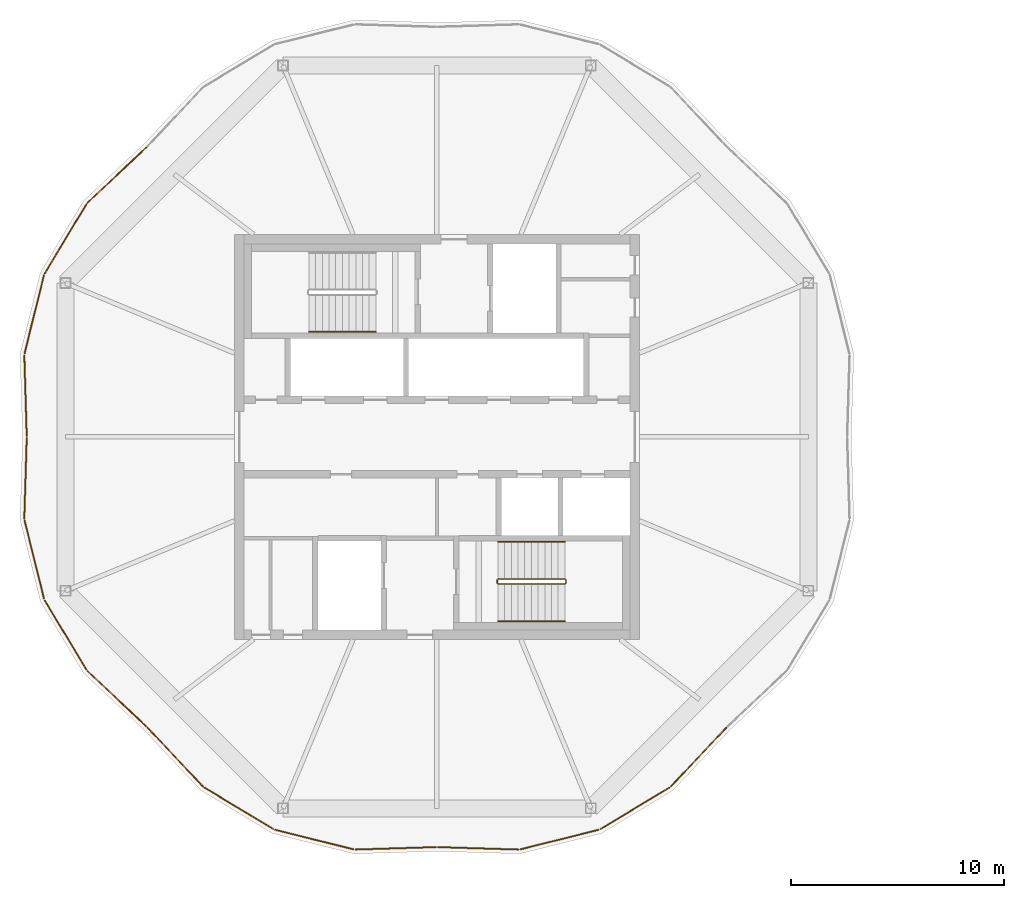
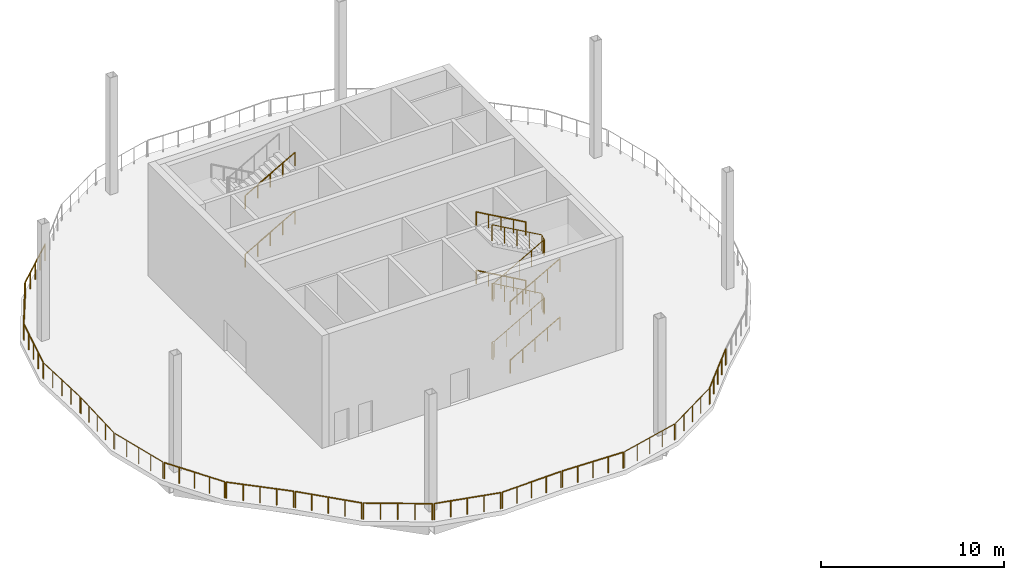
# One storey, part 9 of 12: 23 railings.
"""IFC4 building model written with IfcOpenShell, lengths in metres."""

from ifc_helpers import new_model, si_unit, direction, frame, origin, origin_2d, place, context, subcontext, project, spatial, circle, extrude, material, type_object, element, save


model = new_model("IFC4")

# Units and contexts
model_context = context("Model", 3, precision=1e-05, world=origin(), true_north=direction((0.0, 1.0)))
body_context = subcontext(model_context, "Body", "Model", "MODEL_VIEW")
ifc_project = project(units=[si_unit("LENGTHUNIT", "METRE"), si_unit("AREAUNIT", "SQUARE_METRE"), si_unit("VOLUMEUNIT", "CUBIC_METRE"), si_unit("PLANEANGLEUNIT", "RADIAN"), si_unit("MASSUNIT", "GRAM", prefix="KILO")], contexts=[model_context])

# Site, building, storey
site_placement = place(None, origin())
site = spatial("IfcSite", under=ifc_project, at=site_placement, CompositionType="ELEMENT")
building_placement = place(site_placement, origin())
building = spatial("IfcBuilding", under=site, at=building_placement, Name="Ogive Gate Towers", CompositionType="ELEMENT")
storey_placement = place(building_placement, frame((0.0, 0.0, 248.39990234375)))
storey = spatial("IfcBuildingStorey", under=building, at=storey_placement, Name="L59", CompositionType="ELEMENT", Elevation=248.39990234375)

# Railings
ifc_material = material(Name="Stainless steel", Category="steel")
railing_type_1 = type_object("IfcRailingType", Name="Guard 1100", PredefinedType="GUARDRAIL", material=ifc_material)
railing_1_placement = place(storey_placement, frame((-49.64111328125, 13.5703125, 0.0)))
element("IfcRailing", 1, at=railing_1_placement, inside=storey, type_object=railing_type_1, Name="Wind floor guard", PredefinedType="GUARDRAIL", context=body_context, shape_type="SweptSolid", body=[
    extrude(circle(Radius=0.02392578125, at=origin_2d()), frame((0.0, 0.0, 1.076171875), z_axis=(-0.728026975857, -0.685548482913, 0.0), x_axis=(0.685548482913, -0.728026975857, 0.0)), (0.0, 0.0, 1.0), 3.770263671875),
    extrude(circle(Radius=0.02099609375, at=origin_2d()), origin(), (0.0, 0.0, 1.0), 1.052001953125),
    extrude(circle(Radius=0.02099609375, at=origin_2d()), frame((-0.686279296875, -0.646240234375, 0.0)), (0.0, 0.0, 1.0), 1.052001953125),
    extrude(circle(Radius=0.02099609375, at=origin_2d()), frame((-1.37255859375, -1.29248046875, 0.0)), (0.0, 0.0, 1.0), 1.052001953125),
    extrude(circle(Radius=0.02099609375, at=origin_2d()), frame((-2.05859375, -1.9384765625, 0.0)), (0.0, 0.0, 1.0), 1.052001953125),
    extrude(circle(Radius=0.02099609375, at=origin_2d()), frame((-2.744873046875, -2.584716796875, 0.0)), (0.0, 0.0, 1.0), 1.052001953125),
])
railing_2_placement = place(storey_placement, frame((-52.447998046875, 10.908447265625, 0.0)))
element("IfcRailing", 2, at=railing_2_placement, inside=storey, type_object=railing_type_1, Name="Wind floor guard", PredefinedType="GUARDRAIL", context=body_context, shape_type="SweptSolid", body=[
    extrude(circle(Radius=0.02392578125, at=origin_2d()), frame((0.0, 0.0, 1.076171875), z_axis=(-0.515427239943, -0.856933346489, 0.0), x_axis=(0.856933346489, -0.515427239943, 0.0)), (0.0, 0.0, 1.0), 3.776123046875),
    extrude(circle(Radius=0.02099609375, at=origin_2d()), origin(), (0.0, 0.0, 1.0), 1.052001953125),
    extrude(circle(Radius=0.02099609375, at=origin_2d()), frame((-0.486572265625, -0.80908203125, 0.0)), (0.0, 0.0, 1.0), 1.052001953125),
    extrude(circle(Radius=0.02099609375, at=origin_2d()), frame((-0.97314453125, -1.617919921875, 0.0)), (0.0, 0.0, 1.0), 1.052001953125),
    extrude(circle(Radius=0.02099609375, at=origin_2d()), frame((-1.459716796875, -2.4267578125, 0.0)), (0.0, 0.0, 1.0), 1.052001953125),
    extrude(circle(Radius=0.02099609375, at=origin_2d()), frame((-1.9462890625, -3.23583984375, 0.0)), (0.0, 0.0, 1.0), 1.052001953125),
])
railing_3_placement = place(storey_placement, frame((-54.43212890625, 7.581298828125, 0.0)))
element("IfcRailing", 3, at=railing_3_placement, inside=storey, type_object=railing_type_1, Name="Wind floor guard", PredefinedType="GUARDRAIL", context=body_context, shape_type="SweptSolid", body=[
    extrude(circle(Radius=0.02392578125, at=origin_2d()), frame((0.0, 0.0, 1.076171875), z_axis=(-0.241485792873, -0.970404354813, 0.0), x_axis=(0.970404354813, -0.241485792873, 0.0)), (0.0, 0.0, 1.0), 3.776123046875),
    extrude(circle(Radius=0.02099609375, at=origin_2d()), origin(), (0.0, 0.0, 1.0), 1.052001953125),
    extrude(circle(Radius=0.02099609375, at=origin_2d()), frame((-0.22802734375, -0.916015625, 0.0)), (0.0, 0.0, 1.0), 1.052001953125),
    extrude(circle(Radius=0.02099609375, at=origin_2d()), frame((-0.4560546875, -1.83203125, 0.0)), (0.0, 0.0, 1.0), 1.052001953125),
    extrude(circle(Radius=0.02099609375, at=origin_2d()), frame((-0.683837890625, -2.748291015625, 0.0)), (0.0, 0.0, 1.0), 1.052001953125),
    extrude(circle(Radius=0.02099609375, at=origin_2d()), frame((-0.911865234375, -3.664306640625, 0.0)), (0.0, 0.0, 1.0), 1.052001953125),
])
railing_4_placement = place(storey_placement, frame((-55.3544921875, 3.818603515625, 0.0)))
element("IfcRailing", 4, at=railing_4_placement, inside=storey, type_object=railing_type_1, Name="Wind floor guard", PredefinedType="GUARDRAIL", context=body_context, shape_type="SweptSolid", body=[
    extrude(circle(Radius=0.02392578125, at=origin_2d()), frame((0.0, 0.0, 1.076171875), z_axis=(0.029981333403, -0.99955045878, 0.0), x_axis=(0.99955045878, 0.029981333403, 0.0)), (0.0, 0.0, 1.0), 3.770263671875),
    extrude(circle(Radius=0.02099609375, at=origin_2d()), origin(), (0.0, 0.0, 1.0), 1.052001953125),
    extrude(circle(Radius=0.02099609375, at=origin_2d()), frame((0.0283203125, -0.942138671875, 0.0)), (0.0, 0.0, 1.0), 1.052001953125),
    extrude(circle(Radius=0.02099609375, at=origin_2d()), frame((0.056640625, -1.88427734375, 0.0)), (0.0, 0.0, 1.0), 1.052001953125),
    extrude(circle(Radius=0.02099609375, at=origin_2d()), frame((0.084716796875, -2.826416015625, 0.0)), (0.0, 0.0, 1.0), 1.052001953125),
    extrude(circle(Radius=0.02099609375, at=origin_2d()), frame((0.113037109375, -3.7685546875, 0.0)), (0.0, 0.0, 1.0), 1.052001953125),
])
railing_5_placement = place(storey_placement, frame((-55.241455078125, -0.050048828125, 0.0)))
element("IfcRailing", 5, at=railing_5_placement, inside=storey, type_object=railing_type_1, Name="Wind floor guard", PredefinedType="GUARDRAIL", context=body_context, shape_type="SweptSolid", body=[
    extrude(circle(Radius=0.02392578125, at=origin_2d()), frame((0.0, 0.0, 1.076171875), z_axis=(-0.029981333403, -0.99955045878, 0.0), x_axis=(0.99955045878, -0.029981333403, 0.0)), (0.0, 0.0, 1.0), 3.770263671875),
    extrude(circle(Radius=0.02099609375, at=origin_2d()), origin(), (0.0, 0.0, 1.0), 1.052001953125),
    extrude(circle(Radius=0.02099609375, at=origin_2d()), frame((-0.0283203125, -0.942138671875, 0.0)), (0.0, 0.0, 1.0), 1.052001953125),
    extrude(circle(Radius=0.02099609375, at=origin_2d()), frame((-0.056640625, -1.88427734375, 0.0)), (0.0, 0.0, 1.0), 1.052001953125),
    extrude(circle(Radius=0.02099609375, at=origin_2d()), frame((-0.084716796875, -2.826416015625, 0.0)), (0.0, 0.0, 1.0), 1.052001953125),
    extrude(circle(Radius=0.02099609375, at=origin_2d()), frame((-0.113037109375, -3.7685546875, 0.0)), (0.0, 0.0, 1.0), 1.052001953125),
])
railing_6_placement = place(storey_placement, frame((-55.343994140625, -3.9169921875, 0.0)))
element("IfcRailing", 6, at=railing_6_placement, inside=storey, type_object=railing_type_1, Name="Wind floor guard", PredefinedType="GUARDRAIL", context=body_context, shape_type="SweptSolid", body=[
    extrude(circle(Radius=0.02392578125, at=origin_2d()), frame((0.0, 0.0, 1.076171875), z_axis=(0.241485792873, -0.970404354813, 0.0), x_axis=(0.970404354813, 0.241485792873, 0.0)), (0.0, 0.0, 1.0), 3.776123046875),
    extrude(circle(Radius=0.02099609375, at=origin_2d()), origin(), (0.0, 0.0, 1.0), 1.052001953125),
    extrude(circle(Radius=0.02099609375, at=origin_2d()), frame((0.22802734375, -0.916015625, 0.0)), (0.0, 0.0, 1.0), 1.052001953125),
    extrude(circle(Radius=0.02099609375, at=origin_2d()), frame((0.4560546875, -1.83203125, 0.0)), (0.0, 0.0, 1.0), 1.052001953125),
    extrude(circle(Radius=0.02099609375, at=origin_2d()), frame((0.683837890625, -2.748291015625, 0.0)), (0.0, 0.0, 1.0), 1.052001953125),
    extrude(circle(Radius=0.02099609375, at=origin_2d()), frame((0.911865234375, -3.664306640625, 0.0)), (0.0, 0.0, 1.0), 1.052001953125),
])
railing_7_placement = place(storey_placement, frame((-54.394287109375, -7.672607421875, 0.0)))
element("IfcRailing", 7, at=railing_7_placement, inside=storey, type_object=railing_type_1, Name="Wind floor guard", PredefinedType="GUARDRAIL", context=body_context, shape_type="SweptSolid", body=[
    extrude(circle(Radius=0.02392578125, at=origin_2d()), frame((0.0, 0.0, 1.076171875), z_axis=(0.515427239943, -0.856933346489, 0.0), x_axis=(0.856933346489, 0.515427239943, 0.0)), (0.0, 0.0, 1.0), 3.776123046875),
    extrude(circle(Radius=0.02099609375, at=origin_2d()), origin(), (0.0, 0.0, 1.0), 1.052001953125),
    extrude(circle(Radius=0.02099609375, at=origin_2d()), frame((0.486572265625, -0.80908203125, 0.0)), (0.0, 0.0, 1.0), 1.052001953125),
    extrude(circle(Radius=0.02099609375, at=origin_2d()), frame((0.97314453125, -1.617919921875, 0.0)), (0.0, 0.0, 1.0), 1.052001953125),
    extrude(circle(Radius=0.02099609375, at=origin_2d()), frame((1.459716796875, -2.4267578125, 0.0)), (0.0, 0.0, 1.0), 1.052001953125),
    extrude(circle(Radius=0.02099609375, at=origin_2d()), frame((1.9462890625, -3.23583984375, 0.0)), (0.0, 0.0, 1.0), 1.052001953125),
])
railing_8_placement = place(storey_placement, frame((-52.385986328125, -10.985595703125, 0.0)))
element("IfcRailing", 8, at=railing_8_placement, inside=storey, type_object=railing_type_1, Name="Wind floor guard", PredefinedType="GUARDRAIL", context=body_context, shape_type="SweptSolid", body=[
    extrude(circle(Radius=0.02392578125, at=origin_2d()), frame((0.0, 0.0, 1.076171875), z_axis=(0.728026975857, -0.685548482913, 0.0), x_axis=(0.685548482913, 0.728026975857, 0.0)), (0.0, 0.0, 1.0), 3.770263671875),
    extrude(circle(Radius=0.02099609375, at=origin_2d()), origin(), (0.0, 0.0, 1.0), 1.052001953125),
    extrude(circle(Radius=0.02099609375, at=origin_2d()), frame((0.686279296875, -0.646240234375, 0.0)), (0.0, 0.0, 1.0), 1.052001953125),
    extrude(circle(Radius=0.02099609375, at=origin_2d()), frame((1.37255859375, -1.29248046875, 0.0)), (0.0, 0.0, 1.0), 1.052001953125),
    extrude(circle(Radius=0.02099609375, at=origin_2d()), frame((2.05859375, -1.9384765625, 0.0)), (0.0, 0.0, 1.0), 1.052001953125),
    extrude(circle(Radius=0.02099609375, at=origin_2d()), frame((2.744873046875, -2.584716796875, 0.0)), (0.0, 0.0, 1.0), 1.052001953125),
])
railing_9_placement = place(storey_placement, frame((-49.5703125, -13.64111328125, 0.0)))
element("IfcRailing", 9, at=railing_9_placement, inside=storey, type_object=railing_type_1, Name="Wind floor guard", PredefinedType="GUARDRAIL", context=body_context, shape_type="SweptSolid", body=[
    extrude(circle(Radius=0.02392578125, at=origin_2d()), frame((0.0, 0.0, 1.076171875), z_axis=(0.685548482913, -0.728026975857, 0.0), x_axis=(0.728026975857, 0.685548482913, 0.0)), (0.0, 0.0, 1.0), 3.770263671875),
    extrude(circle(Radius=0.02099609375, at=origin_2d()), origin(), (0.0, 0.0, 1.0), 1.052001953125),
    extrude(circle(Radius=0.02099609375, at=origin_2d()), frame((0.646240234375, -0.686279296875, 0.0)), (0.0, 0.0, 1.0), 1.052001953125),
    extrude(circle(Radius=0.02099609375, at=origin_2d()), frame((1.29248046875, -1.37255859375, 0.0)), (0.0, 0.0, 1.0), 1.052001953125),
    extrude(circle(Radius=0.02099609375, at=origin_2d()), frame((1.9384765625, -2.05859375, 0.0)), (0.0, 0.0, 1.0), 1.052001953125),
    extrude(circle(Radius=0.02099609375, at=origin_2d()), frame((2.584716796875, -2.744873046875, 0.0)), (0.0, 0.0, 1.0), 1.052001953125),
])
railing_10_placement = place(storey_placement, frame((-46.908447265625, -16.447998046875, 0.0)))
element("IfcRailing", 10, at=railing_10_placement, inside=storey, type_object=railing_type_1, Name="Wind floor guard", PredefinedType="GUARDRAIL", context=body_context, shape_type="SweptSolid", body=[
    extrude(circle(Radius=0.02392578125, at=origin_2d()), frame((0.0, 0.0, 1.076171875), z_axis=(0.856933346489, -0.515427239943, 0.0), x_axis=(0.515427239943, 0.856933346489, 0.0)), (0.0, 0.0, 1.0), 3.776123046875),
    extrude(circle(Radius=0.02099609375, at=origin_2d()), origin(), (0.0, 0.0, 1.0), 1.052001953125),
    extrude(circle(Radius=0.02099609375, at=origin_2d()), frame((0.80908203125, -0.486572265625, 0.0)), (0.0, 0.0, 1.0), 1.052001953125),
    extrude(circle(Radius=0.02099609375, at=origin_2d()), frame((1.617919921875, -0.97314453125, 0.0)), (0.0, 0.0, 1.0), 1.052001953125),
    extrude(circle(Radius=0.02099609375, at=origin_2d()), frame((2.4267578125, -1.459716796875, 0.0)), (0.0, 0.0, 1.0), 1.052001953125),
    extrude(circle(Radius=0.02099609375, at=origin_2d()), frame((3.23583984375, -1.9462890625, 0.0)), (0.0, 0.0, 1.0), 1.052001953125),
])
railing_11_placement = place(storey_placement, frame((-43.581298828125, -18.43212890625, 0.0)))
element("IfcRailing", 11, at=railing_11_placement, inside=storey, type_object=railing_type_1, Name="Wind floor guard", PredefinedType="GUARDRAIL", context=body_context, shape_type="SweptSolid", body=[
    extrude(circle(Radius=0.02392578125, at=origin_2d()), frame((0.0, 0.0, 1.076171875), z_axis=(0.970404354813, -0.241485792873, 0.0), x_axis=(0.241485792873, 0.970404354813, 0.0)), (0.0, 0.0, 1.0), 3.776123046875),
    extrude(circle(Radius=0.02099609375, at=origin_2d()), origin(), (0.0, 0.0, 1.0), 1.052001953125),
    extrude(circle(Radius=0.02099609375, at=origin_2d()), frame((0.916015625, -0.22802734375, 0.0)), (0.0, 0.0, 1.0), 1.052001953125),
    extrude(circle(Radius=0.02099609375, at=origin_2d()), frame((1.83203125, -0.4560546875, 0.0)), (0.0, 0.0, 1.0), 1.052001953125),
    extrude(circle(Radius=0.02099609375, at=origin_2d()), frame((2.748291015625, -0.683837890625, 0.0)), (0.0, 0.0, 1.0), 1.052001953125),
    extrude(circle(Radius=0.02099609375, at=origin_2d()), frame((3.664306640625, -0.911865234375, 0.0)), (0.0, 0.0, 1.0), 1.052001953125),
])
railing_12_placement = place(storey_placement, frame((-39.818603515625, -19.3544921875, 0.0)))
element("IfcRailing", 12, at=railing_12_placement, inside=storey, type_object=railing_type_1, Name="Wind floor guard", PredefinedType="GUARDRAIL", context=body_context, shape_type="SweptSolid", body=[
    extrude(circle(Radius=0.02392578125, at=origin_2d()), frame((0.0, 0.0, 1.076171875), z_axis=(0.99955045878, 0.029981333403, 0.0), x_axis=(-0.029981333403, 0.99955045878, 0.0)), (0.0, 0.0, 1.0), 3.770263671875),
    extrude(circle(Radius=0.02099609375, at=origin_2d()), origin(), (0.0, 0.0, 1.0), 1.052001953125),
    extrude(circle(Radius=0.02099609375, at=origin_2d()), frame((0.942138671875, 0.0283203125, 0.0)), (0.0, 0.0, 1.0), 1.052001953125),
    extrude(circle(Radius=0.02099609375, at=origin_2d()), frame((1.88427734375, 0.056640625, 0.0)), (0.0, 0.0, 1.0), 1.052001953125),
    extrude(circle(Radius=0.02099609375, at=origin_2d()), frame((2.826416015625, 0.084716796875, 0.0)), (0.0, 0.0, 1.0), 1.052001953125),
    extrude(circle(Radius=0.02099609375, at=origin_2d()), frame((3.7685546875, 0.113037109375, 0.0)), (0.0, 0.0, 1.0), 1.052001953125),
])
railing_13_placement = place(storey_placement, frame((-35.949951171875, -19.241455078125, 0.0)))
element("IfcRailing", 13, at=railing_13_placement, inside=storey, type_object=railing_type_1, Name="Wind floor guard", PredefinedType="GUARDRAIL", context=body_context, shape_type="SweptSolid", body=[
    extrude(circle(Radius=0.02392578125, at=origin_2d()), frame((0.0, 0.0, 1.076171875), z_axis=(0.99955045878, -0.029981333403, 0.0), x_axis=(0.029981333403, 0.99955045878, 0.0)), (0.0, 0.0, 1.0), 3.770263671875),
    extrude(circle(Radius=0.02099609375, at=origin_2d()), origin(), (0.0, 0.0, 1.0), 1.052001953125),
    extrude(circle(Radius=0.02099609375, at=origin_2d()), frame((0.942138671875, -0.0283203125, 0.0)), (0.0, 0.0, 1.0), 1.052001953125),
    extrude(circle(Radius=0.02099609375, at=origin_2d()), frame((1.88427734375, -0.056640625, 0.0)), (0.0, 0.0, 1.0), 1.052001953125),
    extrude(circle(Radius=0.02099609375, at=origin_2d()), frame((2.826416015625, -0.084716796875, 0.0)), (0.0, 0.0, 1.0), 1.052001953125),
    extrude(circle(Radius=0.02099609375, at=origin_2d()), frame((3.7685546875, -0.113037109375, 0.0)), (0.0, 0.0, 1.0), 1.052001953125),
])
railing_14_placement = place(storey_placement, frame((-32.0830078125, -19.343994140625, 0.0)))
element("IfcRailing", 14, at=railing_14_placement, inside=storey, type_object=railing_type_1, Name="Wind floor guard", PredefinedType="GUARDRAIL", context=body_context, shape_type="SweptSolid", body=[
    extrude(circle(Radius=0.02392578125, at=origin_2d()), frame((0.0, 0.0, 1.076171875), z_axis=(0.970404354813, 0.241485792873, 0.0), x_axis=(-0.241485792873, 0.970404354813, 0.0)), (0.0, 0.0, 1.0), 3.776123046875),
    extrude(circle(Radius=0.02099609375, at=origin_2d()), origin(), (0.0, 0.0, 1.0), 1.052001953125),
    extrude(circle(Radius=0.02099609375, at=origin_2d()), frame((0.916015625, 0.22802734375, 0.0)), (0.0, 0.0, 1.0), 1.052001953125),
    extrude(circle(Radius=0.02099609375, at=origin_2d()), frame((1.83203125, 0.4560546875, 0.0)), (0.0, 0.0, 1.0), 1.052001953125),
    extrude(circle(Radius=0.02099609375, at=origin_2d()), frame((2.748291015625, 0.683837890625, 0.0)), (0.0, 0.0, 1.0), 1.052001953125),
    extrude(circle(Radius=0.02099609375, at=origin_2d()), frame((3.664306640625, 0.911865234375, 0.0)), (0.0, 0.0, 1.0), 1.052001953125),
])
railing_15_placement = place(storey_placement, frame((-28.327392578125, -18.394287109375, 0.0)))
element("IfcRailing", 15, at=railing_15_placement, inside=storey, type_object=railing_type_1, Name="Wind floor guard", PredefinedType="GUARDRAIL", context=body_context, shape_type="SweptSolid", body=[
    extrude(circle(Radius=0.02392578125, at=origin_2d()), frame((0.0, 0.0, 1.076171875), z_axis=(0.856933346489, 0.515427239943, 0.0), x_axis=(-0.515427239943, 0.856933346489, 0.0)), (0.0, 0.0, 1.0), 3.776123046875),
    extrude(circle(Radius=0.02099609375, at=origin_2d()), origin(), (0.0, 0.0, 1.0), 1.052001953125),
    extrude(circle(Radius=0.02099609375, at=origin_2d()), frame((0.80908203125, 0.486572265625, 0.0)), (0.0, 0.0, 1.0), 1.052001953125),
    extrude(circle(Radius=0.02099609375, at=origin_2d()), frame((1.617919921875, 0.97314453125, 0.0)), (0.0, 0.0, 1.0), 1.052001953125),
    extrude(circle(Radius=0.02099609375, at=origin_2d()), frame((2.4267578125, 1.459716796875, 0.0)), (0.0, 0.0, 1.0), 1.052001953125),
    extrude(circle(Radius=0.02099609375, at=origin_2d()), frame((3.23583984375, 1.9462890625, 0.0)), (0.0, 0.0, 1.0), 1.052001953125),
])
railing_16_placement = place(storey_placement, frame((-25.014404296875, -16.385986328125, 0.0)))
element("IfcRailing", 16, at=railing_16_placement, inside=storey, type_object=railing_type_1, Name="Wind floor guard", PredefinedType="GUARDRAIL", context=body_context, shape_type="SweptSolid", body=[
    extrude(circle(Radius=0.02392578125, at=origin_2d()), frame((0.0, 0.0, 1.076171875), z_axis=(0.685548482913, 0.728026975857, 0.0), x_axis=(-0.728026975857, 0.685548482913, 0.0)), (0.0, 0.0, 1.0), 3.770263671875),
    extrude(circle(Radius=0.02099609375, at=origin_2d()), origin(), (0.0, 0.0, 1.0), 1.052001953125),
    extrude(circle(Radius=0.02099609375, at=origin_2d()), frame((0.646240234375, 0.686279296875, 0.0)), (0.0, 0.0, 1.0), 1.052001953125),
    extrude(circle(Radius=0.02099609375, at=origin_2d()), frame((1.29248046875, 1.37255859375, 0.0)), (0.0, 0.0, 1.0), 1.052001953125),
    extrude(circle(Radius=0.02099609375, at=origin_2d()), frame((1.9384765625, 2.05859375, 0.0)), (0.0, 0.0, 1.0), 1.052001953125),
    extrude(circle(Radius=0.02099609375, at=origin_2d()), frame((2.584716796875, 2.744873046875, 0.0)), (0.0, 0.0, 1.0), 1.052001953125),
])
railing_type_2 = type_object("IfcRailingType", Name="Stair guard 1100", PredefinedType="GUARDRAIL", material=ifc_material)
railing_17_placement = place(storey_placement, frame((-33.18505859375, -6.860107421875, 0.0)))
element("IfcRailing", 17, at=railing_17_placement, inside=storey, type_object=railing_type_2, Name="L59 ST2 stair guard 1", PredefinedType="GUARDRAIL", context=body_context, shape_type="SweptSolid", body=[
    extrude(circle(Radius=0.02392578125, at=origin_2d()), frame((0.0, 0.0, 1.076171875), z_axis=(0.0, 1.0, 0.0), x_axis=(-1.0, 0.0, 0.0)), (0.0, 0.0, 1.0), 0.14501953125),
    extrude(circle(Radius=0.02392578125, at=origin_2d()), frame((0.0, 0.14501953125, 1.076171875), z_axis=(0.186567429962, -0.726247849316, 0.661631812598), x_axis=(0.968551454522, 0.24881334358, 0.0)), (0.0, 0.0, 1.0), 0.268310546875),
    extrude(circle(Radius=0.02392578125, at=origin_2d()), frame((0.050048828125, -0.0498046875, 1.25341796875), z_axis=(0.870572935281, 0.0, 0.492039393094), x_axis=(0.0, 1.0, 0.0)), (0.0, 0.0, 1.0), 3.602783203125),
    extrude(circle(Radius=0.02392578125, at=origin_2d()), frame((3.1865234375, -0.0498046875, 3.0263671875), z_axis=(0.707106781187, 0.707106781187, 0.0), x_axis=(-0.707106781187, 0.707106781187, 0.0)), (0.0, 0.0, 1.0), 0.0703125),
    extrude(circle(Radius=0.02392578125, at=origin_2d()), frame((3.236328125, 0.0, 3.0263671875), z_axis=(0.0, 1.0, 0.0), x_axis=(-1.0, 0.0, 0.0)), (0.0, 0.0, 1.0), 0.14501953125),
    extrude(circle(Radius=0.02392578125, at=origin_2d()), frame((3.236328125, 0.14501953125, 3.0263671875), z_axis=(-0.261041864531, 0.262321481514, 0.929001929653), x_axis=(-0.708833529934, -0.705375805398, 0.0)), (0.0, 0.0, 1.0), 0.190673828125),
    extrude(circle(Radius=0.02392578125, at=origin_2d()), frame((3.1865234375, 0.195068359375, 3.20361328125), z_axis=(-0.870572935281, 0.0, 0.492039393094), x_axis=(0.0, -1.0, 0.0)), (0.0, 0.0, 1.0), 3.602783203125),
    extrude(circle(Radius=0.02392578125, at=origin_2d()), frame((0.050048828125, 0.195068359375, 4.97607421875), z_axis=(-0.248521182245, -0.96862646153, 0.0), x_axis=(0.96862646153, -0.248521182245, 0.0)), (0.0, 0.0, 1.0), 0.201416015625),
    extrude(circle(Radius=0.02392578125, at=origin_2d()), frame((0.0, 0.0, 4.97607421875), z_axis=(0.0, 1.0, 0.0), x_axis=(-1.0, 0.0, 0.0)), (0.0, 0.0, 1.0), 0.14501953125),
    extrude(circle(Radius=0.02392578125, at=origin_2d()), frame((0.0, 0.14501953125, 4.97607421875), z_axis=(0.186679794065, -0.726685247142, 0.661119660934), x_axis=(0.968551454522, 0.24881334358, 0.0)), (0.0, 0.0, 1.0), 0.26806640625),
    extrude(circle(Radius=0.02392578125, at=origin_2d()), frame((0.050048828125, -0.0498046875, 5.1533203125), z_axis=(0.870572935281, 0.0, 0.492039393094), x_axis=(0.0, 1.0, 0.0)), (0.0, 0.0, 1.0), 3.602783203125),
    extrude(circle(Radius=0.02392578125, at=origin_2d()), frame((3.1865234375, -0.0498046875, 6.92626953125), z_axis=(0.707106781187, 0.707106781187, 0.0), x_axis=(-0.707106781187, 0.707106781187, 0.0)), (0.0, 0.0, 1.0), 0.0703125),
    extrude(circle(Radius=0.02392578125, at=origin_2d()), frame((3.236328125, 0.0, 6.92626953125), z_axis=(0.0, 1.0, 0.0), x_axis=(-1.0, 0.0, 0.0)), (0.0, 0.0, 1.0), 0.14501953125),
    extrude(circle(Radius=0.02392578125, at=origin_2d()), frame((3.236328125, 0.14501953125, 6.92626953125), z_axis=(-0.261041864531, 0.262321481514, 0.929001929653), x_axis=(-0.708833529934, -0.705375805398, 0.0)), (0.0, 0.0, 1.0), 0.190673828125),
    extrude(circle(Radius=0.02392578125, at=origin_2d()), frame((3.1865234375, 0.195068359375, 7.103515625), z_axis=(-0.870572935281, 0.0, 0.492039393094), x_axis=(0.0, -1.0, 0.0)), (0.0, 0.0, 1.0), 3.602783203125),
    extrude(circle(Radius=0.02099609375, at=origin_2d()), origin(), (0.0, 0.0, 1.0), 1.052001953125),
    extrude(circle(Radius=0.02099609375, at=origin_2d()), frame((0.0, 0.14501953125, 0.0)), (0.0, 0.0, 1.0), 1.052001953125),
    extrude(circle(Radius=0.02099609375, at=origin_2d()), frame((0.050048828125, -0.0498046875, 0.177490234375)), (0.0, 0.0, 1.0), 1.052001953125),
    extrude(circle(Radius=0.02099609375, at=origin_2d()), frame((0.834228515625, -0.0498046875, 0.62060546875)), (0.0, 0.0, 1.0), 1.052001953125),
    extrude(circle(Radius=0.02099609375, at=origin_2d()), frame((1.6181640625, -0.0498046875, 1.06396484375)), (0.0, 0.0, 1.0), 1.052001953125),
    extrude(circle(Radius=0.02099609375, at=origin_2d()), frame((2.40234375, -0.0498046875, 1.507080078125)), (0.0, 0.0, 1.0), 1.052001953125),
    extrude(circle(Radius=0.02099609375, at=origin_2d()), frame((3.1865234375, -0.0498046875, 1.9501953125)), (0.0, 0.0, 1.0), 1.052001953125),
    extrude(circle(Radius=0.02099609375, at=origin_2d()), frame((3.236328125, 0.0, 1.9501953125)), (0.0, 0.0, 1.0), 1.052001953125),
    extrude(circle(Radius=0.02099609375, at=origin_2d()), frame((3.236328125, 0.14501953125, 1.9501953125)), (0.0, 0.0, 1.0), 1.052001953125),
    extrude(circle(Radius=0.02099609375, at=origin_2d()), frame((3.1865234375, 0.195068359375, 2.12744140625)), (0.0, 0.0, 1.0), 1.052001953125),
    extrude(circle(Radius=0.02099609375, at=origin_2d()), frame((2.40234375, 0.195068359375, 2.570556640625)), (0.0, 0.0, 1.0), 1.052001953125),
    extrude(circle(Radius=0.02099609375, at=origin_2d()), frame((1.6181640625, 0.195068359375, 3.013671875)), (0.0, 0.0, 1.0), 1.052001953125),
    extrude(circle(Radius=0.02099609375, at=origin_2d()), frame((0.834228515625, 0.195068359375, 3.45703125)), (0.0, 0.0, 1.0), 1.052001953125),
    extrude(circle(Radius=0.02099609375, at=origin_2d()), frame((0.050048828125, 0.195068359375, 3.900146484375)), (0.0, 0.0, 1.0), 1.052001953125),
    extrude(circle(Radius=0.02099609375, at=origin_2d()), frame((0.0, 0.0, 3.900146484375)), (0.0, 0.0, 1.0), 1.052001953125),
    extrude(circle(Radius=0.02099609375, at=origin_2d()), frame((0.0, 0.14501953125, 3.900146484375)), (0.0, 0.0, 1.0), 1.052001953125),
    extrude(circle(Radius=0.02099609375, at=origin_2d()), frame((0.050048828125, -0.0498046875, 4.077392578125)), (0.0, 0.0, 1.0), 1.052001953125),
    extrude(circle(Radius=0.02099609375, at=origin_2d()), frame((0.834228515625, -0.0498046875, 4.5205078125)), (0.0, 0.0, 1.0), 1.052001953125),
    extrude(circle(Radius=0.02099609375, at=origin_2d()), frame((1.6181640625, -0.0498046875, 4.9638671875)), (0.0, 0.0, 1.0), 1.052001953125),
    extrude(circle(Radius=0.02099609375, at=origin_2d()), frame((2.40234375, -0.0498046875, 5.406982421875)), (0.0, 0.0, 1.0), 1.052001953125),
    extrude(circle(Radius=0.02099609375, at=origin_2d()), frame((3.1865234375, -0.0498046875, 5.85009765625)), (0.0, 0.0, 1.0), 1.052001953125),
    extrude(circle(Radius=0.02099609375, at=origin_2d()), frame((3.236328125, 0.0, 5.85009765625)), (0.0, 0.0, 1.0), 1.052001953125),
    extrude(circle(Radius=0.02099609375, at=origin_2d()), frame((3.236328125, 0.14501953125, 5.85009765625)), (0.0, 0.0, 1.0), 1.052001953125),
    extrude(circle(Radius=0.02099609375, at=origin_2d()), frame((3.1865234375, 0.195068359375, 6.02734375)), (0.0, 0.0, 1.0), 1.052001953125),
    extrude(circle(Radius=0.02099609375, at=origin_2d()), frame((2.40234375, 0.195068359375, 6.470458984375)), (0.0, 0.0, 1.0), 1.052001953125),
    extrude(circle(Radius=0.02099609375, at=origin_2d()), frame((1.6181640625, 0.195068359375, 6.91357421875)), (0.0, 0.0, 1.0), 1.052001953125),
    extrude(circle(Radius=0.02099609375, at=origin_2d()), frame((0.834228515625, 0.195068359375, 7.35693359375)), (0.0, 0.0, 1.0), 1.052001953125),
    extrude(circle(Radius=0.02099609375, at=origin_2d()), frame((0.050048828125, 0.195068359375, 7.800048828125)), (0.0, 0.0, 1.0), 1.052001953125),
])
railing_type_3 = type_object("IfcRailingType", Name="Stair handrail 900", PredefinedType="HANDRAIL", material=ifc_material)
for number, where, name in (
    (18, (-42.00146484375, 4.925048828125, 2.12744140625), "L59 ST1 stair handrail 2"),
    (19, (-42.00146484375, 4.925048828125, 6.02734375), "L59 ST1 stair handrail 4"),
    (20, (-33.135009765625, -8.64990234375, 0.177490234375), "L59 ST2 stair handrail 1"),
):
    element("IfcRailing", number, at=place(storey_placement, frame(where)), inside=storey, type_object=railing_type_3, Name=name, PredefinedType="HANDRAIL", context=body_context, shape_type="SweptSolid", body=[
        extrude(circle(Radius=0.02392578125, at=origin_2d()), frame((0.0, 0.0, 0.8759765625), z_axis=(0.870572935281, 0.0, 0.492039393094), x_axis=(0.0, 1.0, 0.0)), (0.0, 0.0, 1.0), 3.602783203125),
        extrude(circle(Radius=0.02099609375, at=origin_2d()), origin(), (0.0, 0.0, 1.0), 0.851806640625),
        extrude(circle(Radius=0.02099609375, at=origin_2d()), frame((0.7841796875, 0.0, 0.443115234375)), (0.0, 0.0, 1.0), 0.851806640625),
        extrude(circle(Radius=0.02099609375, at=origin_2d()), frame((1.568359375, 0.0, 0.88623046875)), (0.0, 0.0, 1.0), 0.851806640625),
        extrude(circle(Radius=0.02099609375, at=origin_2d()), frame((2.352294921875, 0.0, 1.32958984375)), (0.0, 0.0, 1.0), 0.851806640625),
        extrude(circle(Radius=0.02099609375, at=origin_2d()), frame((3.136474609375, 0.0, 1.772705078125)), (0.0, 0.0, 1.0), 0.851806640625),
    ])
railing_18_placement = place(storey_placement, frame((-29.99853515625, -4.925048828125, 2.12744140625)))
element("IfcRailing", 21, at=railing_18_placement, inside=storey, type_object=railing_type_3, Name="L59 ST2 stair handrail 2", PredefinedType="HANDRAIL", context=body_context, shape_type="SweptSolid", body=[
    extrude(circle(Radius=0.02392578125, at=origin_2d()), frame((0.0, 0.0, 0.8759765625), z_axis=(-0.870572935281, 0.0, 0.492039393094), x_axis=(0.0, -1.0, 0.0)), (0.0, 0.0, 1.0), 3.602783203125),
    extrude(circle(Radius=0.02099609375, at=origin_2d()), origin(), (0.0, 0.0, 1.0), 0.851806640625),
    extrude(circle(Radius=0.02099609375, at=origin_2d()), frame((-0.7841796875, 0.0, 0.443115234375)), (0.0, 0.0, 1.0), 0.851806640625),
    extrude(circle(Radius=0.02099609375, at=origin_2d()), frame((-1.568359375, 0.0, 0.88623046875)), (0.0, 0.0, 1.0), 0.851806640625),
    extrude(circle(Radius=0.02099609375, at=origin_2d()), frame((-2.352294921875, 0.0, 1.32958984375)), (0.0, 0.0, 1.0), 0.851806640625),
    extrude(circle(Radius=0.02099609375, at=origin_2d()), frame((-3.136474609375, 0.0, 1.772705078125)), (0.0, 0.0, 1.0), 0.851806640625),
])
railing_19_placement = place(storey_placement, frame((-33.135009765625, -8.64990234375, 4.077392578125)))
element("IfcRailing", 22, at=railing_19_placement, inside=storey, type_object=railing_type_3, Name="L59 ST2 stair handrail 3", PredefinedType="HANDRAIL", context=body_context, shape_type="SweptSolid", body=[
    extrude(circle(Radius=0.02392578125, at=origin_2d()), frame((0.0, 0.0, 0.8759765625), z_axis=(0.870572935281, 0.0, 0.492039393094), x_axis=(0.0, 1.0, 0.0)), (0.0, 0.0, 1.0), 3.602783203125),
    extrude(circle(Radius=0.02099609375, at=origin_2d()), origin(), (0.0, 0.0, 1.0), 0.851806640625),
    extrude(circle(Radius=0.02099609375, at=origin_2d()), frame((0.7841796875, 0.0, 0.443115234375)), (0.0, 0.0, 1.0), 0.851806640625),
    extrude(circle(Radius=0.02099609375, at=origin_2d()), frame((1.568359375, 0.0, 0.88623046875)), (0.0, 0.0, 1.0), 0.851806640625),
    extrude(circle(Radius=0.02099609375, at=origin_2d()), frame((2.352294921875, 0.0, 1.32958984375)), (0.0, 0.0, 1.0), 0.851806640625),
    extrude(circle(Radius=0.02099609375, at=origin_2d()), frame((3.136474609375, 0.0, 1.772705078125)), (0.0, 0.0, 1.0), 0.851806640625),
])
railing_20_placement = place(storey_placement, frame((-29.99853515625, -4.925048828125, 6.02734375)))
element("IfcRailing", 23, at=railing_20_placement, inside=storey, type_object=railing_type_3, Name="L59 ST2 stair handrail 4", PredefinedType="HANDRAIL", context=body_context, shape_type="SweptSolid", body=[
    extrude(circle(Radius=0.02392578125, at=origin_2d()), frame((0.0, 0.0, 0.8759765625), z_axis=(-0.870572935281, 0.0, 0.492039393094), x_axis=(0.0, -1.0, 0.0)), (0.0, 0.0, 1.0), 3.602783203125),
    extrude(circle(Radius=0.02099609375, at=origin_2d()), origin(), (0.0, 0.0, 1.0), 0.851806640625),
    extrude(circle(Radius=0.02099609375, at=origin_2d()), frame((-0.7841796875, 0.0, 0.443115234375)), (0.0, 0.0, 1.0), 0.851806640625),
    extrude(circle(Radius=0.02099609375, at=origin_2d()), frame((-1.568359375, 0.0, 0.88623046875)), (0.0, 0.0, 1.0), 0.851806640625),
    extrude(circle(Radius=0.02099609375, at=origin_2d()), frame((-2.352294921875, 0.0, 1.32958984375)), (0.0, 0.0, 1.0), 0.851806640625),
    extrude(circle(Radius=0.02099609375, at=origin_2d()), frame((-3.136474609375, 0.0, 1.772705078125)), (0.0, 0.0, 1.0), 0.851806640625),
])

save(model, "model.ifc")
